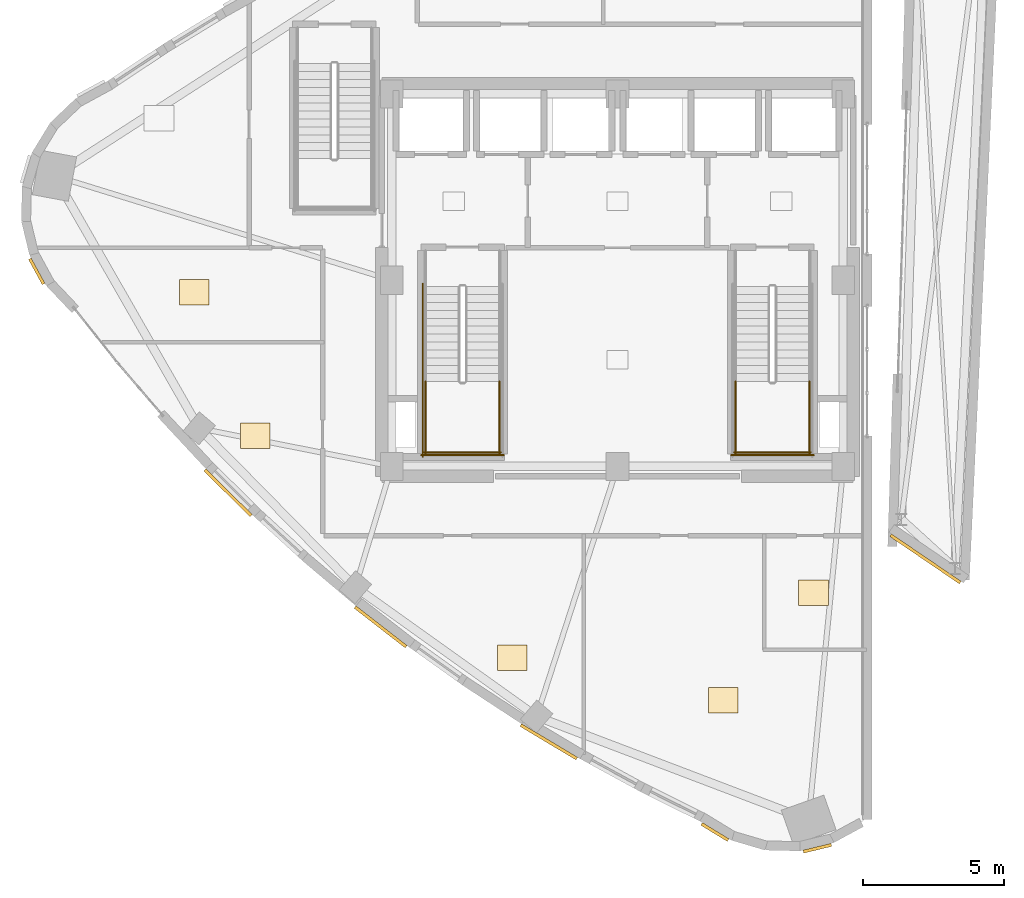
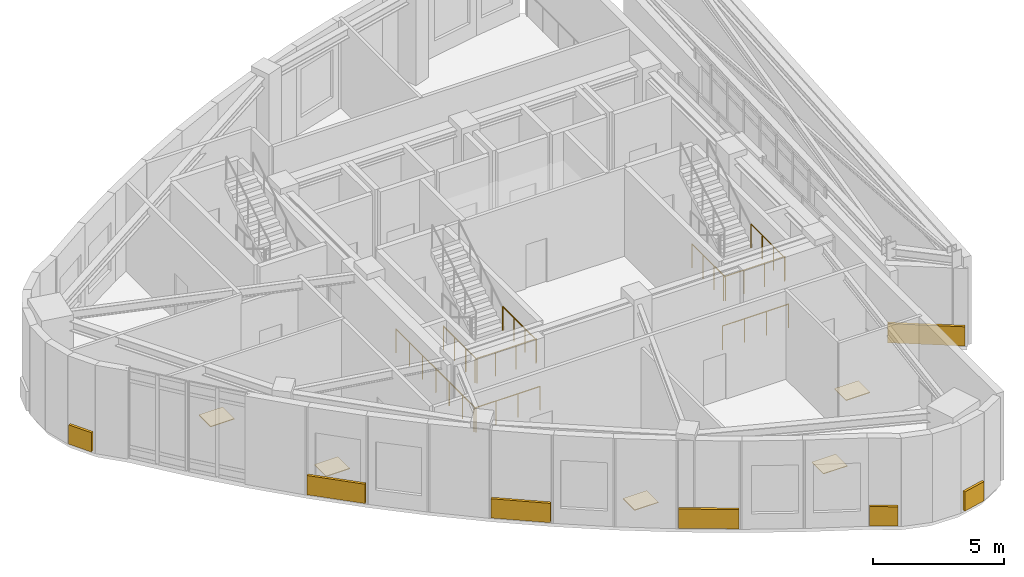
# One storey, part 17 of 19: 12 coverings, 9 railings.
"""IFC4 building model written with IfcOpenShell, lengths in metres."""

from ifc_helpers import new_model, si_unit, direction, frame, origin, origin_2d, place, context, subcontext, project, spatial, rectangle, circle, extrude, material, layer, layer_set, type_object, element, save


model = new_model("IFC4")

# Units and contexts
model_context = context("Model", 3, precision=1e-05, world=origin(), true_north=direction((0.0, 1.0)))
body_context = subcontext(model_context, "Body", "Model", "MODEL_VIEW")
ifc_project = project(units=[si_unit("LENGTHUNIT", "METRE"), si_unit("AREAUNIT", "SQUARE_METRE"), si_unit("VOLUMEUNIT", "CUBIC_METRE"), si_unit("PLANEANGLEUNIT", "RADIAN"), si_unit("MASSUNIT", "GRAM", prefix="KILO")], contexts=[model_context])

# Site, building, storey
site_placement = place(None, origin())
site = spatial("IfcSite", under=ifc_project, at=site_placement, CompositionType="ELEMENT")
building_placement = place(site_placement, origin())
building = spatial("IfcBuilding", under=site, at=building_placement, Name="Ndelora Gate Hotel", CompositionType="ELEMENT")
storey_placement = place(building_placement, frame((0.0, 0.0, 290.39990234375)))
storey = spatial("IfcBuildingStorey", under=building, at=storey_placement, Name="L72", CompositionType="ELEMENT", Elevation=290.39990234375)

# Coverings
ifc_material_1 = material(Name="Terracotta Fired Clay Brick Slip Cladding", Category="masonry")
ifc_layer_1 = layer(ifc_material_1, 0.110107421875)
ifc_layer_set_1 = layer_set([ifc_layer_1], Name="Terracotta Fired Clay Brick Slip Cladding")
covering_type_1 = type_object("IfcCoveringType", Name="COV-CLAD-BRK", PredefinedType="CLADDING", material=ifc_layer_set_1)
covering_1_placement = place(storey_placement, frame((-20.577880859375, 0.3115234375, 0.10009765625), z_axis=(0.0, 0.0, 1.0), x_axis=(-0.478538613714, 0.878066509545, 0.0)))
element("IfcCovering", 1, at=covering_1_placement, inside=storey, type_object=covering_type_1, Name="L72 Rounded-Corner Brick Cladding Band 13", PredefinedType="CLADDING", context=body_context, shape_type="SweptSolid", body=[
    extrude(rectangle(XDim=1.01611328125, YDim=0.110107421875, at=origin_2d()), origin(), (0.0, 0.0, 1.0), 0.89990234375),
])
covering_2_placement = place(storey_placement, frame((-13.801025390625, -7.532470703125, 0.10009765625), z_axis=(0.0, 0.0, 1.0), x_axis=(-0.709816657042, 0.704386480127, 0.0)))
element("IfcCovering", 2, at=covering_2_placement, inside=storey, type_object=covering_type_1, Name="L72 Rounded-Corner Brick Cladding Band 19", PredefinedType="CLADDING", context=body_context, shape_type="SweptSolid", body=[
    extrude(rectangle(XDim=2.301025390625, YDim=0.110107421875, at=origin_2d()), origin(), (0.0, 0.0, 1.0), 0.89990234375),
])
covering_3_placement = place(storey_placement, frame((-8.393798828125, -12.284912109375, 0.10009765625), z_axis=(0.0, 0.0, 1.0), x_axis=(-0.789833986695, 0.613320693815, 0.0)))
element("IfcCovering", 3, at=covering_3_placement, inside=storey, type_object=covering_type_1, Name="L72 Rounded-Corner Brick Cladding Band 22", PredefinedType="CLADDING", context=body_context, shape_type="SweptSolid", body=[
    extrude(rectangle(XDim=2.2890625, YDim=0.110107421875, at=origin_2d()), origin(), (0.0, 0.0, 1.0), 0.89990234375),
])
covering_4_placement = place(storey_placement, frame((-2.436279296875, -16.357421875, 0.10009765625), z_axis=(0.0, 0.0, 1.0), x_axis=(-0.857885593737, 0.513840741921, 0.0)))
element("IfcCovering", 4, at=covering_4_placement, inside=storey, type_object=covering_type_1, Name="L72 Rounded-Corner Brick Cladding Band 25", PredefinedType="CLADDING", context=body_context, shape_type="SweptSolid", body=[
    extrude(rectangle(XDim=2.31298828125, YDim=0.110107421875, at=origin_2d()), origin(), (0.0, 0.0, 1.0), 0.89990234375),
])
covering_5_placement = place(storey_placement, frame((3.449462890625, -19.552734375, 0.10009765625), z_axis=(0.0, 0.0, 1.0), x_axis=(-0.853368878608, 0.521307545528, 0.0)))
element("IfcCovering", 5, at=covering_5_placement, inside=storey, type_object=covering_type_1, Name="L72 Rounded-Corner Brick Cladding Band 28", PredefinedType="CLADDING", context=body_context, shape_type="SweptSolid", body=[
    extrude(rectangle(XDim=1.09912109375, YDim=0.110107421875, at=origin_2d()), origin(), (0.0, 0.0, 1.0), 0.89990234375),
])
covering_6_placement = place(storey_placement, frame((7.0830078125, -20.12890625, 0.10009765625), z_axis=(0.0, 0.0, 1.0), x_axis=(0.972002025815, 0.234972470325, 0.0)))
element("IfcCovering", 6, at=covering_6_placement, inside=storey, type_object=covering_type_1, Name="L72 Rounded-Corner Brick Cladding Band 34", PredefinedType="CLADDING", context=body_context, shape_type="SweptSolid", body=[
    extrude(rectangle(XDim=1.01611328125, YDim=0.110107421875, at=origin_2d()), origin(), (0.0, 0.0, 1.0), 0.89990234375),
])
covering_7_placement = place(storey_placement, frame((10.909423828125, -9.8759765625, 0.10009765625), z_axis=(0.0, 0.0, 1.0), x_axis=(-0.826884319778, 0.562372049186, 0.0)))
element("IfcCovering", 7, at=covering_7_placement, inside=storey, type_object=covering_type_1, Name="L72 Rounded-Corner Brick Cladding Band 1", PredefinedType="CLADDING", context=body_context, shape_type="SweptSolid", body=[
    extrude(rectangle(XDim=2.98291015625, YDim=0.110107421875, at=origin_2d()), origin(), (0.0, 0.0, 1.0), 0.89990234375),
])
ifc_material_2 = material(Name="Engineered Highland Oak Parquet", Category="wood")
ifc_layer_2 = layer(ifc_material_2, 0.030029296875)
ifc_layer_set_2 = layer_set([ifc_layer_2], Name="Engineered Highland Oak Parquet")
covering_type_2 = type_object("IfcCoveringType", Name="COV-FLR-PARQ", PredefinedType="FLOORING", material=ifc_layer_set_2)
for number, where, z_axis, x_axis, name in (
    (8, (-15.001708984375, -0.4326171875, 0.0), (0.0, 0.0, 1.0), (1.0, 0.0, 0.0), "L72 Artisanal Pastry Kitchen Oak Parquet Flooring"),
    (9, (-12.832275390625, -5.51220703125, 0.0), (0.0, 0.0, 1.0), (1.0, 0.0, 0.0), "L72 Cloud Reading Library Oak Parquet Flooring"),
    (10, (-3.73291015625, -13.37744140625, 0.0), (0.0, 0.0, 1.0), (1.0, 0.0, 0.0), "L72 South-West Summit Dining Room Oak Parquet Flooring"),
    (11, (3.744873046875, -14.88623046875, 0.0), (0.0, 0.0, 1.0), (1.0, 0.0, 0.0), "L72 Summit Study Office Oak Parquet Flooring"),
    (12, (6.944580078125, -11.074951171875, 0.0), (0.0, 0.0, 1.0), (1.0, 0.0, 0.0), "L72 Accessible WC Oak Parquet Flooring"),
):
    element("IfcCovering", number, at=place(storey_placement, frame(where, z_axis=z_axis, x_axis=x_axis)), inside=storey, type_object=covering_type_2, Name=name, PredefinedType="FLOORING", context=body_context, shape_type="SweptSolid", body=[
        extrude(rectangle(XDim=1.050048828125, YDim=0.89990234375, at=origin_2d()), origin(), (0.0, 0.0, 1.0), 0.030029296875),
    ])

# Railings
ifc_material_3 = material(Name="Painted Galvanized Steel Balustrade", Category="steel")
ifc_layer_3 = layer(ifc_material_3, 0.06005859375)
ifc_layer_set_3 = layer_set([ifc_layer_3], Name="Painted Galvanized Steel Balustrade")
railing_type = type_object("IfcRailingType", Name="RL-STAIR-GD", PredefinedType="GUARDRAIL", material=ifc_layer_set_3)
for number, where, name in (
    (13, (-6.800048828125, -3.590087890625, 2.2001953125), "L72 ST4 stair guard 3"),
    (14, (-4.179931640625, -3.590087890625, 2.2001953125), "L72 ST4 stair guard 4"),
):
    element("IfcRailing", number, at=place(storey_placement, frame(where)), inside=storey, type_object=railing_type, Name=name, PredefinedType="GUARDRAIL", context=body_context, shape_type="SweptSolid", body=[
        extrude(circle(Radius=0.02392578125, at=origin_2d()), frame((0.0, 0.0, 1.10595703125), z_axis=(0.0, -1.0, 0.0), x_axis=(1.0, 0.0, 0.0)), (0.0, 0.0, 1.0), 2.559814453125),
        extrude(circle(Radius=0.02099609375, at=origin_2d()), origin(), (0.0, 0.0, 1.0), 1.081787109375),
        extrude(circle(Radius=0.02099609375, at=origin_2d()), frame((0.0, -0.853271484375, 0.0)), (0.0, 0.0, 1.0), 1.081787109375),
        extrude(circle(Radius=0.02099609375, at=origin_2d()), frame((0.0, -1.70654296875, 0.0)), (0.0, 0.0, 1.0), 1.081787109375),
        extrude(circle(Radius=0.02099609375, at=origin_2d()), frame((0.0, -2.559814453125, 0.0)), (0.0, 0.0, 1.0), 1.081787109375),
    ])
railing_1_placement = place(storey_placement, frame((-6.85009765625, -6.10009765625, 2.2001953125)))
element("IfcRailing", 15, at=railing_1_placement, inside=storey, type_object=railing_type, Name="L72 ST4 stair guard 5", PredefinedType="GUARDRAIL", context=body_context, shape_type="SweptSolid", body=[
    extrude(circle(Radius=0.02392578125, at=origin_2d()), frame((0.0, 0.0, 1.10595703125), z_axis=(1.0, 0.0, 0.0), x_axis=(0.0, 1.0, 0.0)), (0.0, 0.0, 1.0), 2.72021484375),
    extrude(circle(Radius=0.02099609375, at=origin_2d()), origin(), (0.0, 0.0, 1.0), 1.081787109375),
    extrude(circle(Radius=0.02099609375, at=origin_2d()), frame((0.90673828125, 0.0, 0.0)), (0.0, 0.0, 1.0), 1.081787109375),
    extrude(circle(Radius=0.02099609375, at=origin_2d()), frame((1.8134765625, 0.0, 0.0)), (0.0, 0.0, 1.0), 1.081787109375),
    extrude(circle(Radius=0.02099609375, at=origin_2d()), frame((2.72021484375, 0.0, 0.0)), (0.0, 0.0, 1.0), 1.081787109375),
])
railing_2_placement = place(storey_placement, frame((-6.89990234375, -0.1298828125, 0.0)))
element("IfcRailing", 16, at=railing_2_placement, inside=storey, type_object=railing_type, Name="L72 ST4 stair guard 10", PredefinedType="GUARDRAIL", context=body_context, shape_type="SweptSolid", body=[
    extrude(circle(Radius=0.02392578125, at=origin_2d()), frame((0.0, 0.0, 1.10595703125), z_axis=(0.0, -1.0, 0.0), x_axis=(1.0, 0.0, 0.0)), (0.0, 0.0, 1.0), 6.1201171875),
    extrude(circle(Radius=0.02099609375, at=origin_2d()), origin(), (0.0, 0.0, 1.0), 1.081787109375),
    extrude(circle(Radius=0.02099609375, at=origin_2d()), frame((0.0, -1.02001953125, 0.0)), (0.0, 0.0, 1.0), 1.081787109375),
    extrude(circle(Radius=0.02099609375, at=origin_2d()), frame((0.0, -2.0400390625, 0.0)), (0.0, 0.0, 1.0), 1.081787109375),
    extrude(circle(Radius=0.02099609375, at=origin_2d()), frame((0.0, -3.06005859375, 0.0)), (0.0, 0.0, 1.0), 1.081787109375),
    extrude(circle(Radius=0.02099609375, at=origin_2d()), frame((0.0, -4.080078125, 0.0)), (0.0, 0.0, 1.0), 1.081787109375),
    extrude(circle(Radius=0.02099609375, at=origin_2d()), frame((0.0, -5.10009765625, 0.0)), (0.0, 0.0, 1.0), 1.081787109375),
    extrude(circle(Radius=0.02099609375, at=origin_2d()), frame((0.0, -6.1201171875, 0.0)), (0.0, 0.0, 1.0), 1.081787109375),
])
railing_3_placement = place(storey_placement, frame((-6.949951171875, -6.199951171875, 0.0)))
element("IfcRailing", 17, at=railing_3_placement, inside=storey, type_object=railing_type, Name="L72 ST4 stair guard 12", PredefinedType="GUARDRAIL", context=body_context, shape_type="SweptSolid", body=[
    extrude(circle(Radius=0.02392578125, at=origin_2d()), frame((0.0, 0.0, 1.10595703125), z_axis=(1.0, 0.0, 0.0), x_axis=(0.0, 1.0, 0.0)), (0.0, 0.0, 1.0), 2.919921875),
    extrude(circle(Radius=0.02099609375, at=origin_2d()), origin(), (0.0, 0.0, 1.0), 1.081787109375),
    extrude(circle(Radius=0.02099609375, at=origin_2d()), frame((0.973388671875, 0.0, 0.0)), (0.0, 0.0, 1.0), 1.081787109375),
    extrude(circle(Radius=0.02099609375, at=origin_2d()), frame((1.946533203125, 0.0, 0.0)), (0.0, 0.0, 1.0), 1.081787109375),
    extrude(circle(Radius=0.02099609375, at=origin_2d()), frame((2.919921875, 0.0, 0.0)), (0.0, 0.0, 1.0), 1.081787109375),
])
for number, where, name in (
    (18, (4.179931640625, -3.590087890625, 2.2001953125), "L72 ST5 stair guard 3"),
    (19, (6.800048828125, -3.590087890625, 2.2001953125), "L72 ST5 stair guard 4"),
):
    element("IfcRailing", number, at=place(storey_placement, frame(where)), inside=storey, type_object=railing_type, Name=name, PredefinedType="GUARDRAIL", context=body_context, shape_type="SweptSolid", body=[
        extrude(circle(Radius=0.02392578125, at=origin_2d()), frame((0.0, 0.0, 1.10595703125), z_axis=(0.0, -1.0, 0.0), x_axis=(1.0, 0.0, 0.0)), (0.0, 0.0, 1.0), 2.559814453125),
        extrude(circle(Radius=0.02099609375, at=origin_2d()), origin(), (0.0, 0.0, 1.0), 1.081787109375),
        extrude(circle(Radius=0.02099609375, at=origin_2d()), frame((0.0, -0.853271484375, 0.0)), (0.0, 0.0, 1.0), 1.081787109375),
        extrude(circle(Radius=0.02099609375, at=origin_2d()), frame((0.0, -1.70654296875, 0.0)), (0.0, 0.0, 1.0), 1.081787109375),
        extrude(circle(Radius=0.02099609375, at=origin_2d()), frame((0.0, -2.559814453125, 0.0)), (0.0, 0.0, 1.0), 1.081787109375),
    ])
railing_4_placement = place(storey_placement, frame((4.1298828125, -6.10009765625, 2.2001953125)))
element("IfcRailing", 20, at=railing_4_placement, inside=storey, type_object=railing_type, Name="L72 ST5 stair guard 5", PredefinedType="GUARDRAIL", context=body_context, shape_type="SweptSolid", body=[
    extrude(circle(Radius=0.02392578125, at=origin_2d()), frame((0.0, 0.0, 1.10595703125), z_axis=(1.0, 0.0, 0.0), x_axis=(0.0, 1.0, 0.0)), (0.0, 0.0, 1.0), 2.72021484375),
    extrude(circle(Radius=0.02099609375, at=origin_2d()), origin(), (0.0, 0.0, 1.0), 1.081787109375),
    extrude(circle(Radius=0.02099609375, at=origin_2d()), frame((0.90673828125, 0.0, 0.0)), (0.0, 0.0, 1.0), 1.081787109375),
    extrude(circle(Radius=0.02099609375, at=origin_2d()), frame((1.8134765625, 0.0, 0.0)), (0.0, 0.0, 1.0), 1.081787109375),
    extrude(circle(Radius=0.02099609375, at=origin_2d()), frame((2.72021484375, 0.0, 0.0)), (0.0, 0.0, 1.0), 1.081787109375),
])
railing_5_placement = place(storey_placement, frame((4.030029296875, -6.199951171875, 0.0)))
element("IfcRailing", 21, at=railing_5_placement, inside=storey, type_object=railing_type, Name="L72 ST5 stair guard 12", PredefinedType="GUARDRAIL", context=body_context, shape_type="SweptSolid", body=[
    extrude(circle(Radius=0.02392578125, at=origin_2d()), frame((0.0, 0.0, 1.10595703125), z_axis=(1.0, 0.0, 0.0), x_axis=(0.0, 1.0, 0.0)), (0.0, 0.0, 1.0), 2.919921875),
    extrude(circle(Radius=0.02099609375, at=origin_2d()), origin(), (0.0, 0.0, 1.0), 1.081787109375),
    extrude(circle(Radius=0.02099609375, at=origin_2d()), frame((0.973388671875, 0.0, 0.0)), (0.0, 0.0, 1.0), 1.081787109375),
    extrude(circle(Radius=0.02099609375, at=origin_2d()), frame((1.946533203125, 0.0, 0.0)), (0.0, 0.0, 1.0), 1.081787109375),
    extrude(circle(Radius=0.02099609375, at=origin_2d()), frame((2.919921875, 0.0, 0.0)), (0.0, 0.0, 1.0), 1.081787109375),
])

save(model, "model.ifc")
